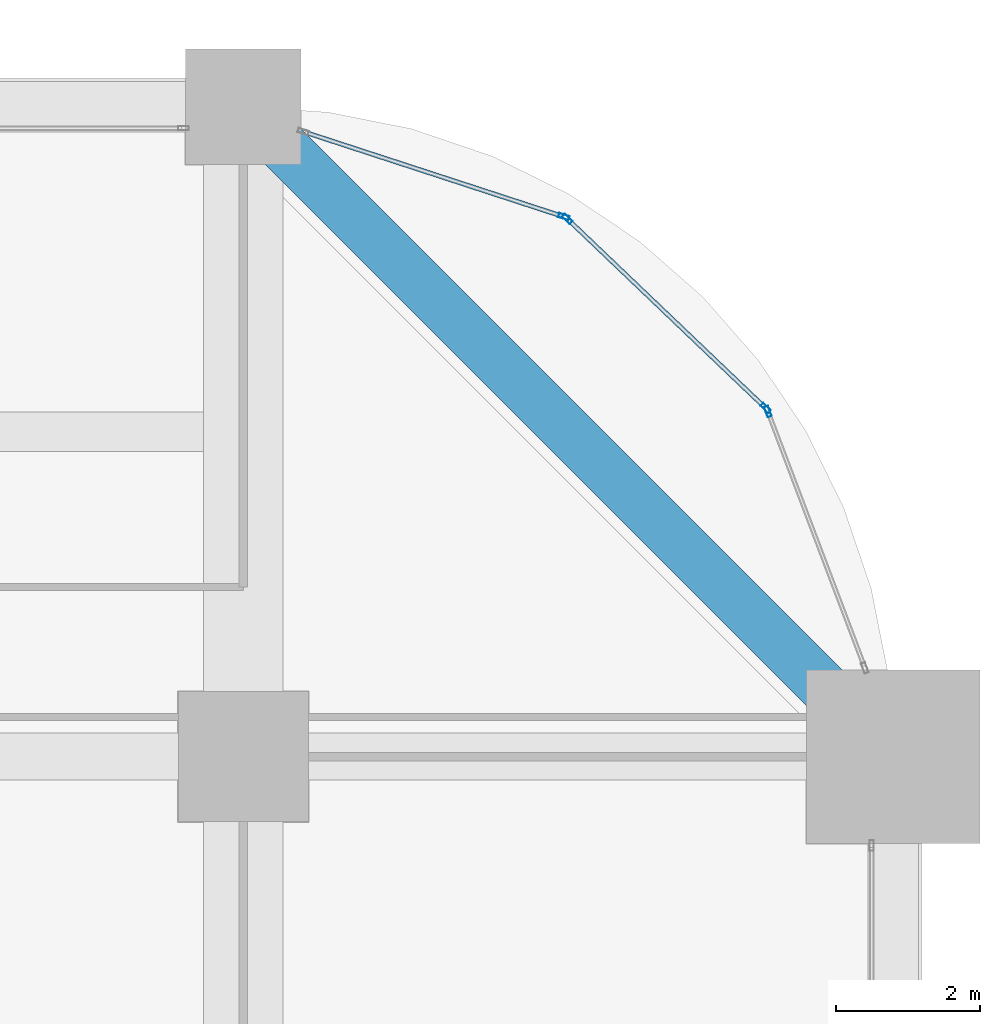
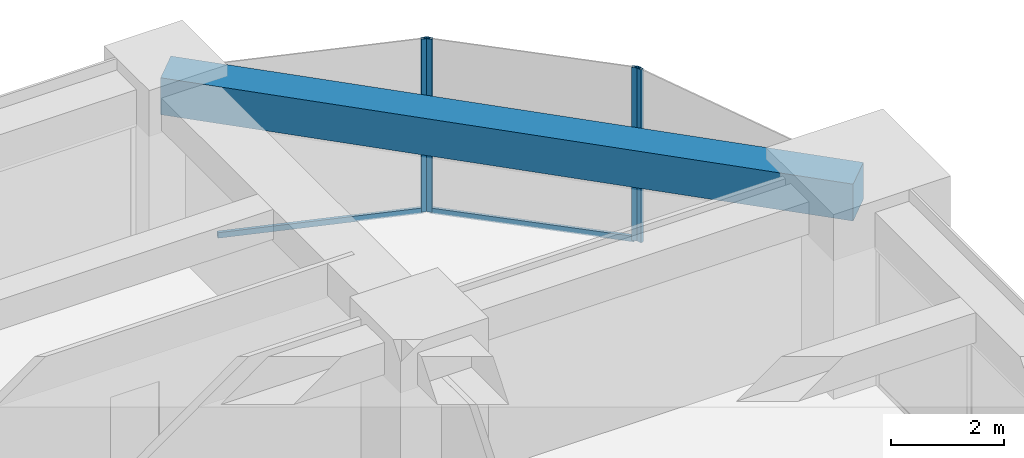
# One storey, part 34 of 40: 6 members, 1 beam, 3 elements without a shape of their own.
"""IFC4 building model written with IfcOpenShell, lengths in metres."""

from ifc_helpers import new_model, si_unit, direction, frame, origin, origin_2d, place, context, subcontext, project, spatial, rectangle, hollow_rectangle, extrude, material, material_profile, profile_set, type_object, element, aggregate, save


model = new_model("IFC4")

# Units and contexts
model_context = context("Model", 3, precision=1e-05, world=origin(), true_north=direction((0.0, 1.0)))
body_context = subcontext(model_context, "Body", "Model", "MODEL_VIEW")
ifc_project = project(units=[si_unit("LENGTHUNIT", "METRE"), si_unit("AREAUNIT", "SQUARE_METRE"), si_unit("VOLUMEUNIT", "CUBIC_METRE"), si_unit("PLANEANGLEUNIT", "RADIAN"), si_unit("MASSUNIT", "GRAM", prefix="KILO")], contexts=[model_context])

# Site, building, storey
site_placement = place(None, origin())
site = spatial("IfcSite", under=ifc_project, at=site_placement, CompositionType="ELEMENT")
building_placement = place(site_placement, origin())
building = spatial("IfcBuilding", under=site, at=building_placement, Name="Zorevar Civic Tower", CompositionType="ELEMENT")
storey_placement = place(building_placement, frame((0.0, 0.0, 129.0)))
storey = spatial("IfcBuildingStorey", under=building, at=storey_placement, Name="L31", CompositionType="ELEMENT", Elevation=129.0)

# Curtain wall, member
ifc_material_1 = material(Name="Dark grey solar-control glass in black aluminium frame", Category="aluminium")
curtain_wall_type = type_object("IfcCurtainWallType", Name="Curtain wall CW3 mid zone", PredefinedType="NOTDEFINED", material=ifc_material_1)
curtain_wall_1_placement = place(storey_placement, origin())
curtain_wall_1 = element("IfcCurtainWall", 1, at=curtain_wall_1_placement, inside=storey, type_object=curtain_wall_type, Name="CW3 L31", PredefinedType="NOTDEFINED")
ifc_material_2 = material(Name="Aluminium, black anodised", Category="aluminium")
ifc_material_profile_1 = material_profile(ifc_material_2, hollow_rectangle(XDim=0.06005859375, YDim=0.14990234375, WallThickness=0.00390625, at=origin_2d()), Name="AL 150x60x4")
ifc_profile_set_1 = profile_set([ifc_material_profile_1], Name="Aluminium, black anodised")
member_type_1 = type_object("IfcMemberType", Name="CW3 mullion AL 150x60x4", PredefinedType="MULLION", material=ifc_profile_set_1)
member_1_placement = place(storey_placement, frame((61.26318359375, 40.777099609375, 0.0), z_axis=(0.0, 0.0, 1.0), x_axis=(-0.935276561184, -0.353917722218, 0.0)))
member_1 = element("IfcMember", 2, at=member_1_placement, type_object=member_type_1, Name="CW3 mullion 2", PredefinedType="MULLION", context=body_context, shape_type="SweptSolid", body=[
    extrude(hollow_rectangle(XDim=0.06005859375, YDim=0.14990234375, WallThickness=0.00390625, at=origin_2d()), origin(), (0.0, 0.0, 1.0), 3.75),
])
aggregate(curtain_wall_1, [member_1])

# Curtain wall, members
curtain_wall_2_placement = place(storey_placement, origin())
curtain_wall_2 = element("IfcCurtainWall", 3, at=curtain_wall_2_placement, inside=storey, type_object=curtain_wall_type, Name="CW3 L31", PredefinedType="NOTDEFINED")
member_2_placement = place(storey_placement, frame((61.23095703125, 40.825927734375, 0.0), z_axis=(0.0, 0.0, 1.0), x_axis=(-0.690545329292, -0.723289117983, 0.0)))
member_2 = element("IfcMember", 4, at=member_2_placement, type_object=member_type_1, Name="CW3 mullion 1", PredefinedType="MULLION", context=body_context, shape_type="SweptSolid", body=[
    extrude(hollow_rectangle(XDim=0.06005859375, YDim=0.14990234375, WallThickness=0.00390625, at=origin_2d()), origin(), (0.0, 0.0, 1.0), 3.75),
])
member_3_placement = place(storey_placement, frame((58.486083984375, 43.4462890625, 0.0), z_axis=(0.0, 0.0, 1.0), x_axis=(-0.690545329292, -0.723289117983, 0.0)))
member_3 = element("IfcMember", 5, at=member_3_placement, type_object=member_type_1, Name="CW3 mullion 2", PredefinedType="MULLION", context=body_context, shape_type="SweptSolid", body=[
    extrude(hollow_rectangle(XDim=0.06005859375, YDim=0.14990234375, WallThickness=0.00390625, at=origin_2d()), origin(), (0.0, 0.0, 1.0), 3.75),
])

# Curtain wall, member
curtain_wall_3_placement = place(storey_placement, origin())
curtain_wall_3 = element("IfcCurtainWall", 6, at=curtain_wall_3_placement, inside=storey, type_object=curtain_wall_type, Name="CW3 L31", PredefinedType="NOTDEFINED")
member_4_placement = place(storey_placement, frame((58.43603515625, 43.476318359375, 0.0), z_axis=(0.0, 0.0, 1.0), x_axis=(-0.310263169163, -0.950650706548, 0.0)))
member_4 = element("IfcMember", 7, at=member_4_placement, type_object=member_type_1, Name="CW3 mullion 1", PredefinedType="MULLION", context=body_context, shape_type="SweptSolid", body=[
    extrude(hollow_rectangle(XDim=0.06005859375, YDim=0.14990234375, WallThickness=0.00390625, at=origin_2d()), origin(), (0.0, 0.0, 1.0), 3.75),
])

# Member
ifc_material_3 = material(Name="Aluminium, black anodised", Category="aluminium")
ifc_material_profile_2 = material_profile(ifc_material_3, hollow_rectangle(XDim=0.06005859375, YDim=0.1201171875, WallThickness=0.0029296875, at=origin_2d()), Name="AL 120x60x3")
ifc_profile_set_2 = profile_set([ifc_material_profile_2], Name="Aluminium, black anodised")
member_type_2 = type_object("IfcMemberType", Name="CW3 transom AL 120x60x3", PredefinedType="USERDEFINED", material=ifc_profile_set_2)
member_5_placement = place(storey_placement, frame((61.209228515625, 40.8466796875, 0.030029296875), z_axis=(-0.723324377588, 0.690508395884, 0.0), x_axis=(-0.690508395884, -0.723324377588, 0.0)))
member_5 = element("IfcMember", 8, at=member_5_placement, type_object=member_type_2, Name="CW3 sill transom", ObjectType="TRANSOM", PredefinedType="USERDEFINED", context=body_context, shape_type="SweptSolid", body=[
    extrude(hollow_rectangle(XDim=0.06005859375, YDim=0.1201171875, WallThickness=0.0029296875, at=origin_2d()), origin(), (0.0, 0.0, 1.0), 3.734619140625),
])

aggregate(curtain_wall_2, [member_2, member_3, member_5])

member_6_placement = place(storey_placement, frame((58.407470703125, 43.485595703125, 0.030029296875), z_axis=(-0.950638909659, 0.310299312669, 0.0), x_axis=(-0.310299312669, -0.950638909659, 0.0)))
member_6 = element("IfcMember", 9, at=member_6_placement, type_object=member_type_2, Name="CW3 sill transom", ObjectType="TRANSOM", PredefinedType="USERDEFINED", context=body_context, shape_type="SweptSolid", body=[
    extrude(hollow_rectangle(XDim=0.06005859375, YDim=0.1201171875, WallThickness=0.0029296875, at=origin_2d()), origin(), (0.0, 0.0, 1.0), 3.73486328125),
])

aggregate(curtain_wall_3, [member_4, member_6])

# Beam
ifc_material_4 = material(Name="Concrete C50/60", Category="concrete")
ifc_material_profile_3 = material_profile(ifc_material_4, rectangle(XDim=0.699951171875, YDim=0.800048828125, at=origin_2d()), Name="RC 700x800")
ifc_profile_set_3 = profile_set([ifc_material_profile_3], Name="Concrete C50/60")
beam_type = type_object("IfcBeamType", Name="Edge beam RC 700x800", PredefinedType="SPANDREL", material=ifc_profile_set_3)
beam_placement = place(storey_placement, frame((63.0, 36.0, 3.35009765625), z_axis=(-0.707106781187, 0.707106781187, 0.0), x_axis=(-0.707106781187, -0.707106781187, 0.0)))
element("IfcBeam", 10, at=beam_placement, inside=storey, type_object=beam_type, Name="Corner edge beam L32", PredefinedType="SPANDREL", context=body_context, shape_type="SweptSolid", body=[
    extrude(rectangle(XDim=0.699951171875, YDim=0.800048828125, at=origin_2d()), origin(), (0.0, 0.0, 1.0), 12.72802734375),
])

save(model, "model.ifc")
